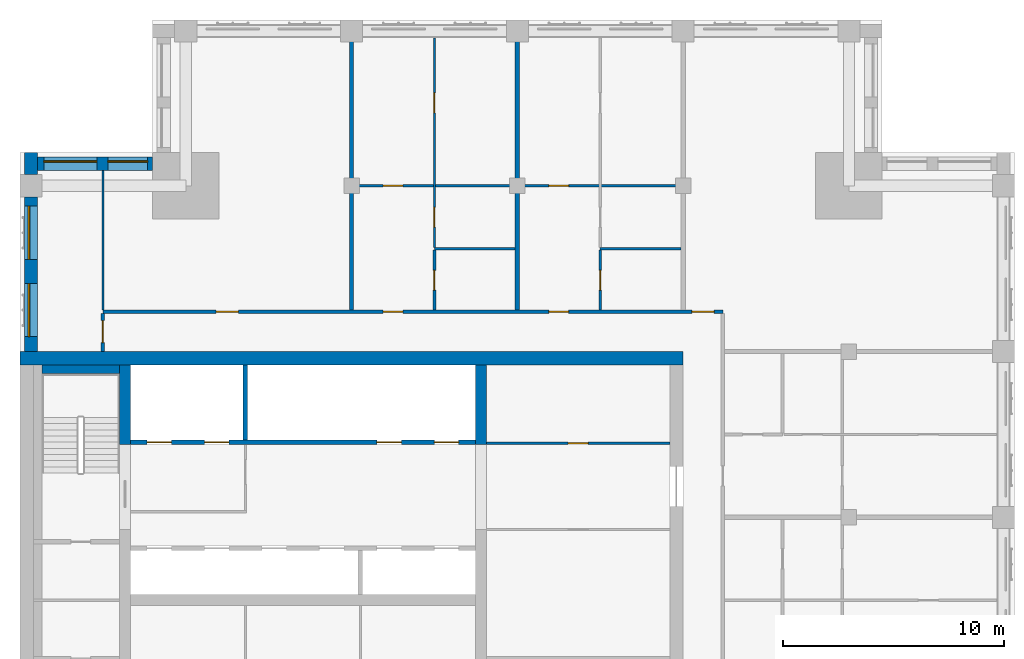
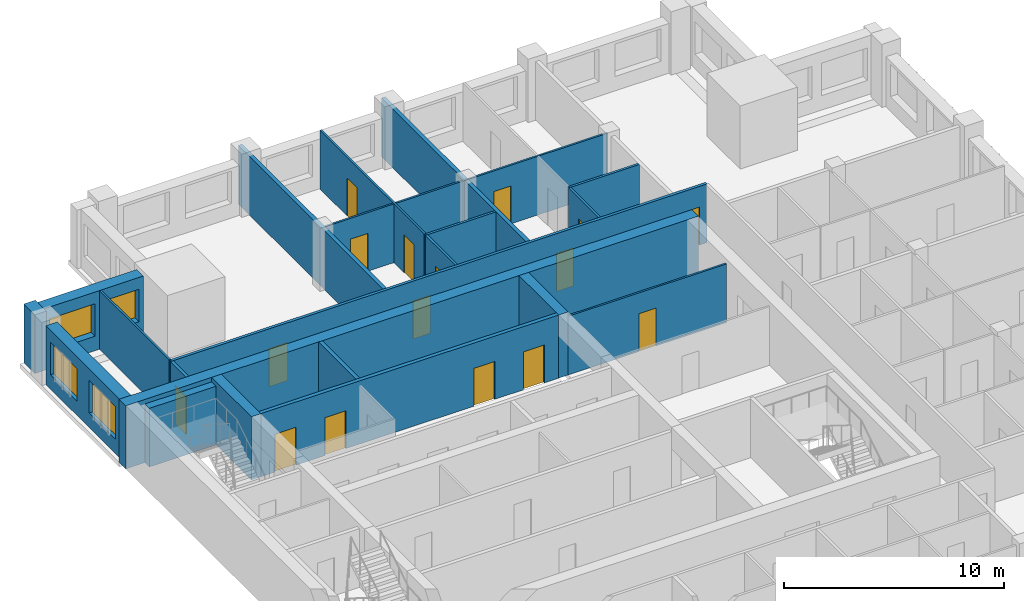
# One storey, part 6 of 10: 21 walls, 16 doors, 4 windows, 20 openings.
"""IFC4 building model written with IfcOpenShell, lengths in metres."""

from ifc_helpers import new_model, si_unit, direction, frame, frame_2d, origin, place, context, subcontext, project, spatial, rectangle, extrude, material, layer, layer_set, type_object, element, fill, save


model = new_model("IFC4")

# Units and contexts
model_context = context("Model", 3, precision=1e-05, world=origin(), true_north=direction((0.0, 1.0)))
body_context = subcontext(model_context, "Body", "Model", "MODEL_VIEW")
ifc_project = project(units=[si_unit("LENGTHUNIT", "METRE"), si_unit("AREAUNIT", "SQUARE_METRE"), si_unit("VOLUMEUNIT", "CUBIC_METRE"), si_unit("PLANEANGLEUNIT", "RADIAN"), si_unit("MASSUNIT", "GRAM", prefix="KILO")], contexts=[model_context])

# Site, building, storey
site_placement = place(None, origin())
site = spatial("IfcSite", under=ifc_project, at=site_placement, CompositionType="ELEMENT")
building_placement = place(site_placement, origin())
building = spatial("IfcBuilding", under=site, at=building_placement, Name="Tamorin Gate", CompositionType="ELEMENT")
storey_placement = place(building_placement, frame((0.0, 0.0, 273.199951171875)))
storey = spatial("IfcBuildingStorey", under=building, at=storey_placement, Name="L68", CompositionType="ELEMENT", Elevation=273.199951171875)

# Wall, openings, windows
ifc_material_1 = material(Name="Precast concrete C40/50", Category="concrete")
ifc_layer_1 = layer(ifc_material_1, 0.60009765625)
ifc_layer_set_1 = layer_set([ifc_layer_1], Name="Precast concrete C40/50")
wall_type_1 = type_object("IfcWallType", Name="Board-marked concrete facade panel 600", PredefinedType="SOLIDWALL", material=ifc_layer_set_1)
wall_1_placement = place(storey_placement, frame((36.0, 91.0, 0.0), z_axis=(0.0, 0.0, 1.0), x_axis=(-1.0, 0.0, 0.0)))
wall_1 = element("IfcWall", 1, at=wall_1_placement, inside=storey, type_object=wall_type_1, Name="Facade panel", PredefinedType="SOLIDWALL", context=body_context, shape_type="SweptSolid", body=[
    extrude(rectangle(XDim=5.199951171875, YDim=0.60009765625, at=frame_2d((2.60009765625, 0.0))), origin(), (0.0, 0.0, 1.0), 3.25),
])
opening_1_placement = place(wall_1_placement, frame((2.52490234375, 0.0, 0.800048828125)))
opening_1 = element("IfcOpeningElement", 2, at=opening_1_placement, cuts=wall_1, Name="Opening WN1", PredefinedType="OPENING", context=body_context, shape_type="SweptSolid", body=[
    extrude(rectangle(XDim=2.39990234375, YDim=1.800048828125, at=frame_2d((1.199951171875, 0.89990234375))), frame((0.0, 0.31005859375, 0.0), z_axis=(0.0, -1.0, 0.0), x_axis=(1.0, 0.0, 0.0)), (0.0, 0.0, 1.0), 0.6201171875),
])
opening_2_placement = place(wall_1_placement, frame((0.22509765625, 0.0, 0.800048828125)))
opening_2 = element("IfcOpeningElement", 3, at=opening_2_placement, cuts=wall_1, Name="Opening WN2", PredefinedType="OPENING", context=body_context, shape_type="SweptSolid", body=[
    extrude(rectangle(XDim=1.800048828125, YDim=1.800048828125, at=frame_2d((0.89990234375, 0.89990234375))), frame((0.0, 0.31005859375, 0.0), z_axis=(0.0, -1.0, 0.0), x_axis=(1.0, 0.0, 0.0)), (0.0, 0.0, 1.0), 0.6201171875),
])
ifc_material_2 = material(Name="Clear glass in aluminium frame", Category="aluminium")
window_type_1 = type_object("IfcWindowType", Name="Deep-set window 1800x1800", PartitioningType="SINGLE_PANEL", PredefinedType="WINDOW", material=ifc_material_2)
window_1_placement = place(opening_2_placement, origin())
window_1 = element("IfcWindow", 4, at=window_1_placement, inside=storey, type_object=window_type_1, Name="Deep-set window", OverallHeight=1.800048828125, OverallWidth=1.800048828125, PartitioningType="SINGLE_PANEL", PredefinedType="WINDOW", context=body_context, shape_type="SweptSolid", body=[
    extrude(rectangle(XDim=1.800048828125, YDim=1.800048828125, at=frame_2d((0.89990234375, 0.89990234375))), frame((0.0, -0.070068359375, 0.0), z_axis=(0.0, -1.0, 0.0), x_axis=(1.0, 0.0, 0.0)), (0.0, 0.0, 1.0), 0.06005859375),
])
fill(opening_2, window_1)
window_type_2 = type_object("IfcWindowType", Name="Deep-set window 2400x1800", PartitioningType="SINGLE_PANEL", PredefinedType="WINDOW", material=ifc_material_2)
window_2_placement = place(opening_1_placement, origin())
window_2 = element("IfcWindow", 5, at=window_2_placement, inside=storey, type_object=window_type_2, Name="Deep-set window", OverallHeight=1.800048828125, OverallWidth=2.39990234375, PartitioningType="SINGLE_PANEL", PredefinedType="WINDOW", context=body_context, shape_type="SweptSolid", body=[
    extrude(rectangle(XDim=2.39990234375, YDim=1.800048828125, at=frame_2d((1.199951171875, 0.89990234375))), frame((0.0, -0.070068359375, 0.0), z_axis=(0.0, -1.0, 0.0), x_axis=(1.0, 0.0, 0.0)), (0.0, 0.0, 1.0), 0.06005859375),
])
fill(opening_1, window_2)

# Wall
wall_2_placement = place(storey_placement, frame((30.5, 91.5, 0.0), z_axis=(0.0, 0.0, 1.0), x_axis=(0.0, -1.0, 0.0)))
element("IfcWall", 6, at=wall_2_placement, inside=storey, type_object=wall_type_1, Name="Facade panel", PredefinedType="SOLIDWALL", context=body_context, shape_type="SweptSolid", body=[
    extrude(rectangle(XDim=1.0, YDim=0.60009765625, at=frame_2d((0.5, 0.0))), origin(), (0.0, 0.0, 1.0), 3.25),
])

# Wall, openings, windows
wall_3_placement = place(storey_placement, frame((30.5, 89.5, 0.0), z_axis=(0.0, 0.0, 1.0), x_axis=(0.0, -1.0, 0.0)))
wall_3 = element("IfcWall", 7, at=wall_3_placement, inside=storey, type_object=wall_type_1, Name="Facade panel", PredefinedType="SOLIDWALL", context=body_context, shape_type="SweptSolid", body=[
    extrude(rectangle(XDim=7.0, YDim=0.60009765625, at=frame_2d((3.5, 0.0))), origin(), (0.0, 0.0, 1.0), 3.25),
])
opening_3_placement = place(wall_3_placement, frame((3.925048828125, 0.0, 0.800048828125)))
opening_3 = element("IfcOpeningElement", 8, at=opening_3_placement, cuts=wall_3, Name="Opening WN1", PredefinedType="OPENING", context=body_context, shape_type="SweptSolid", body=[
    extrude(rectangle(XDim=2.39990234375, YDim=1.800048828125, at=frame_2d((1.199951171875, 0.89990234375))), frame((0.0, 0.31005859375, 0.0), z_axis=(0.0, -1.0, 0.0), x_axis=(1.0, 0.0, 0.0)), (0.0, 0.0, 1.0), 0.6201171875),
])
opening_4_placement = place(wall_3_placement, frame((0.425048828125, 0.0, 0.800048828125)))
opening_4 = element("IfcOpeningElement", 9, at=opening_4_placement, cuts=wall_3, Name="Opening WN1", PredefinedType="OPENING", context=body_context, shape_type="SweptSolid", body=[
    extrude(rectangle(XDim=2.39990234375, YDim=1.800048828125, at=frame_2d((1.199951171875, 0.89990234375))), frame((0.0, 0.31005859375, 0.0), z_axis=(0.0, -1.0, 0.0), x_axis=(1.0, 0.0, 0.0)), (0.0, 0.0, 1.0), 0.6201171875),
])
window_3_placement = place(opening_3_placement, origin())
window_3 = element("IfcWindow", 10, at=window_3_placement, inside=storey, type_object=window_type_2, Name="Deep-set window", OverallHeight=1.800048828125, OverallWidth=2.39990234375, PartitioningType="SINGLE_PANEL", PredefinedType="WINDOW", context=body_context, shape_type="SweptSolid", body=[
    extrude(rectangle(XDim=2.39990234375, YDim=1.800048828125, at=frame_2d((1.199951171875, 0.89990234375))), frame((0.0, -0.070068359375, 0.0), z_axis=(0.0, -1.0, 0.0), x_axis=(1.0, 0.0, 0.0)), (0.0, 0.0, 1.0), 0.06005859375),
])
fill(opening_3, window_3)
window_4_placement = place(opening_4_placement, origin())
window_4 = element("IfcWindow", 11, at=window_4_placement, inside=storey, type_object=window_type_2, Name="Deep-set window", OverallHeight=1.800048828125, OverallWidth=2.39990234375, PartitioningType="SINGLE_PANEL", PredefinedType="WINDOW", context=body_context, shape_type="SweptSolid", body=[
    extrude(rectangle(XDim=2.39990234375, YDim=1.800048828125, at=frame_2d((1.199951171875, 0.89990234375))), frame((0.0, -0.070068359375, 0.0), z_axis=(0.0, -1.0, 0.0), x_axis=(1.0, 0.0, 0.0)), (0.0, 0.0, 1.0), 0.06005859375),
])
fill(opening_4, window_4)

# Wall, openings, doors
ifc_material_3 = material(Name="Gypsum board partition")
ifc_layer_2 = layer(ifc_material_3, 0.14990234375)
ifc_layer_set_2 = layer_set([ifc_layer_2], Name="Corridor wall 150")
wall_type_2 = type_object("IfcWallType", Name="Corridor wall 150", PredefinedType="PARTITIONING", material=ifc_layer_set_2)
wall_4_placement = place(storey_placement, frame((33.75, 84.300048828125, 0.0), z_axis=(0.0, 0.0, 1.0), x_axis=(1.0, 0.0, 0.0)))
wall_4 = element("IfcWall", 12, at=wall_4_placement, inside=storey, type_object=wall_type_2, Name="Corridor wall 150", PredefinedType="PARTITIONING", context=body_context, shape_type="SweptSolid", body=[
    extrude(rectangle(XDim=28.050048828125, YDim=0.14990234375, at=frame_2d((14.02490234375, 0.0))), origin(), (0.0, 0.0, 1.0), 3.25),
])
opening_5_placement = place(wall_4_placement, frame((5.125, 0.0, 0.0)))
opening_5 = element("IfcOpeningElement", 13, at=opening_5_placement, cuts=wall_4, Name="Opening DR10016", PredefinedType="OPENING", context=body_context, shape_type="SweptSolid", body=[
    extrude(rectangle(XDim=1.0, YDim=2.10009765625, at=frame_2d((0.5, 1.050048828125))), frame((0.0, 0.0849609375, 0.0), z_axis=(0.0, -1.0, 0.0), x_axis=(1.0, 0.0, 0.0)), (0.0, 0.0, 1.0), 0.169921875),
])
opening_6_placement = place(wall_4_placement, frame((12.675048828125, 0.0, 0.0)))
opening_6 = element("IfcOpeningElement", 14, at=opening_6_placement, cuts=wall_4, Name="Opening DR10017", PredefinedType="OPENING", context=body_context, shape_type="SweptSolid", body=[
    extrude(rectangle(XDim=0.89990234375, YDim=2.10009765625, at=frame_2d((0.449951171875, 1.050048828125))), frame((0.0, 0.0849609375, 0.0), z_axis=(0.0, -1.0, 0.0), x_axis=(1.0, 0.0, 0.0)), (0.0, 0.0, 1.0), 0.169921875),
])
opening_7_placement = place(wall_4_placement, frame((20.175048828125, 0.0, 0.0)))
opening_7 = element("IfcOpeningElement", 15, at=opening_7_placement, cuts=wall_4, Name="Opening DR10022", PredefinedType="OPENING", context=body_context, shape_type="SweptSolid", body=[
    extrude(rectangle(XDim=0.89990234375, YDim=2.10009765625, at=frame_2d((0.449951171875, 1.050048828125))), frame((0.0, 0.0849609375, 0.0), z_axis=(0.0, -1.0, 0.0), x_axis=(1.0, 0.0, 0.0)), (0.0, 0.0, 1.0), 0.169921875),
])
opening_8_placement = place(wall_4_placement, frame((26.64990234375, 0.0, 0.0)))
opening_8 = element("IfcOpeningElement", 16, at=opening_8_placement, cuts=wall_4, Name="Opening DR10027", PredefinedType="OPENING", context=body_context, shape_type="SweptSolid", body=[
    extrude(rectangle(XDim=1.0, YDim=2.10009765625, at=frame_2d((0.5, 1.050048828125))), frame((0.0, 0.0849609375, 0.0), z_axis=(0.0, -1.0, 0.0), x_axis=(1.0, 0.0, 0.0)), (0.0, 0.0, 1.0), 0.169921875),
])
ifc_material_4 = material(Name="Timber door leaf", Category="wood")
door_type_1 = type_object("IfcDoorType", Name="Door 1000 x 2100 FD30S", OperationType="NOTDEFINED", PredefinedType="DOOR", material=ifc_material_4)
door_1_placement = place(opening_5_placement, origin())
door_1 = element("IfcDoor", 17, at=door_1_placement, inside=storey, type_object=door_type_1, Name="Door DR10016", OperationType="SINGLE_SWING_LEFT", OverallHeight=2.10009765625, OverallWidth=1.0, PredefinedType="DOOR", context=body_context, shape_type="SweptSolid", body=[
    extrude(rectangle(XDim=1.0, YDim=2.10009765625, at=frame_2d((0.5, 1.050048828125))), frame((0.0, 0.02490234375, 0.0), z_axis=(0.0, -1.0, 0.0), x_axis=(1.0, 0.0, 0.0)), (0.0, 0.0, 1.0), 0.050048828125),
])
fill(opening_5, door_1)
door_2_placement = place(opening_8_placement, origin())
door_2 = element("IfcDoor", 18, at=door_2_placement, inside=storey, type_object=door_type_1, Name="Door DR10027", OperationType="SINGLE_SWING_LEFT", OverallHeight=2.10009765625, OverallWidth=1.0, PredefinedType="DOOR", context=body_context, shape_type="SweptSolid", body=[
    extrude(rectangle(XDim=1.0, YDim=2.10009765625, at=frame_2d((0.5, 1.050048828125))), frame((0.0, 0.02490234375, 0.0), z_axis=(0.0, -1.0, 0.0), x_axis=(1.0, 0.0, 0.0)), (0.0, 0.0, 1.0), 0.050048828125),
])
fill(opening_8, door_2)
door_type_2 = type_object("IfcDoorType", Name="Door 900 x 2100 FD30S", OperationType="NOTDEFINED", PredefinedType="DOOR", material=ifc_material_4)
door_3_placement = place(opening_6_placement, origin())
door_3 = element("IfcDoor", 19, at=door_3_placement, inside=storey, type_object=door_type_2, Name="Door DR10017", OperationType="SINGLE_SWING_LEFT", OverallHeight=2.10009765625, OverallWidth=0.89990234375, PredefinedType="DOOR", context=body_context, shape_type="SweptSolid", body=[
    extrude(rectangle(XDim=0.89990234375, YDim=2.10009765625, at=frame_2d((0.449951171875, 1.050048828125))), frame((0.0, 0.02490234375, 0.0), z_axis=(0.0, -1.0, 0.0), x_axis=(1.0, 0.0, 0.0)), (0.0, 0.0, 1.0), 0.050048828125),
])
fill(opening_6, door_3)
door_4_placement = place(opening_7_placement, origin())
door_4 = element("IfcDoor", 20, at=door_4_placement, inside=storey, type_object=door_type_2, Name="Door DR10022", OperationType="SINGLE_SWING_LEFT", OverallHeight=2.10009765625, OverallWidth=0.89990234375, PredefinedType="DOOR", context=body_context, shape_type="SweptSolid", body=[
    extrude(rectangle(XDim=0.89990234375, YDim=2.10009765625, at=frame_2d((0.449951171875, 1.050048828125))), frame((0.0, 0.02490234375, 0.0), z_axis=(0.0, -1.0, 0.0), x_axis=(1.0, 0.0, 0.0)), (0.0, 0.0, 1.0), 0.050048828125),
])
fill(opening_7, door_4)

# Wall, opening, door
wall_5_placement = place(storey_placement, frame((33.75, 82.5, 0.0), z_axis=(0.0, 0.0, 1.0), x_axis=(0.0, 1.0, 0.0)))
wall_5 = element("IfcWall", 21, at=wall_5_placement, inside=storey, type_object=wall_type_2, Name="Corridor wall 150", PredefinedType="PARTITIONING", context=body_context, shape_type="SweptSolid", body=[
    extrude(rectangle(XDim=1.72509765625, YDim=0.14990234375, at=frame_2d((0.862548828125, 0.0))), origin(), (0.0, 0.0, 1.0), 3.25),
])
opening_9_placement = place(wall_5_placement, frame((0.39990234375, 0.0, 0.0)))
opening_9 = element("IfcOpeningElement", 22, at=opening_9_placement, cuts=wall_5, Name="Opening DR10015", PredefinedType="OPENING", context=body_context, shape_type="SweptSolid", body=[
    extrude(rectangle(XDim=1.0, YDim=2.10009765625, at=frame_2d((0.5, 1.050048828125))), frame((0.0, 0.0849609375, 0.0), z_axis=(0.0, -1.0, 0.0), x_axis=(1.0, 0.0, 0.0)), (0.0, 0.0, 1.0), 0.169921875),
])
door_5_placement = place(opening_9_placement, origin())
door_5 = element("IfcDoor", 23, at=door_5_placement, inside=storey, type_object=door_type_1, Name="Door DR10015", OperationType="SINGLE_SWING_LEFT", OverallHeight=2.10009765625, OverallWidth=1.0, PredefinedType="DOOR", context=body_context, shape_type="SweptSolid", body=[
    extrude(rectangle(XDim=1.0, YDim=2.10009765625, at=frame_2d((0.5, 1.050048828125))), frame((0.0, 0.02490234375, 0.0), z_axis=(0.0, -1.0, 0.0), x_axis=(1.0, 0.0, 0.0)), (0.0, 0.0, 1.0), 0.050048828125),
])
fill(opening_9, door_5)

# Walls
ifc_layer_3 = layer(ifc_material_3, 0.199951171875)
ifc_layer_set_3 = layer_set([ifc_layer_3], Name="Demising wall 200")
wall_type_3 = type_object("IfcWallType", Name="Demising wall 200", PredefinedType="PARTITIONING", material=ifc_layer_set_3)
for number, where, z_axis, x_axis, name in (
    (24, (45.0, 84.375, 0.0), (0.0, 0.0, 1.0), (0.0, 1.0, 0.0), "Demising wall 200"),
    (25, (52.5, 84.375, 0.0), (0.0, 0.0, 1.0), (0.0, 1.0, 0.0), "Demising wall 200"),
):
    element("IfcWall", number, at=place(storey_placement, frame(where, z_axis=z_axis, x_axis=x_axis)), inside=storey, type_object=wall_type_3, Name=name, PredefinedType="PARTITIONING", context=body_context, shape_type="SweptSolid", body=[
        extrude(rectangle(XDim=13.125, YDim=0.199951171875, at=frame_2d((6.5625, 0.0))), origin(), (0.0, 0.0, 1.0), 3.25),
    ])

# Wall, openings, doors
ifc_material_5 = material(Name="Concrete C32/40", Category="concrete")
ifc_layer_4 = layer(ifc_material_5, 0.199951171875)
ifc_layer_set_4 = layer_set([ifc_layer_4], Name="Lift lobby face wall 200 EI 120")
wall_type_4 = type_object("IfcWallType", Name="Lift lobby face wall 200 EI 120", PredefinedType="SOLIDWALL", material=ifc_layer_set_4)
wall_6_placement = place(storey_placement, frame((35.0, 78.39990234375, 0.0), z_axis=(0.0, 0.0, 1.0), x_axis=(1.0, 0.0, 0.0)))
wall_6 = element("IfcWall", 26, at=wall_6_placement, inside=storey, type_object=wall_type_4, Name="Lift lobby face wall", PredefinedType="SOLIDWALL", context=body_context, shape_type="SweptSolid", body=[
    extrude(rectangle(XDim=15.60009765625, YDim=0.199951171875, at=frame_2d((7.800048828125, 0.0))), origin(), (0.0, 0.0, 1.0), 3.5),
])
opening_10_placement = place(wall_6_placement, frame((0.75, 0.0, 0.0)))
opening_10 = element("IfcOpeningElement", 27, at=opening_10_placement, cuts=wall_6, Name="Opening LD17", PredefinedType="OPENING", context=body_context, shape_type="SweptSolid", body=[
    extrude(rectangle(XDim=1.10009765625, YDim=2.10009765625, at=frame_2d((0.550048828125, 1.050048828125))), frame((0.0, 0.10986328125, 0.0), z_axis=(0.0, -1.0, 0.0), x_axis=(1.0, 0.0, 0.0)), (0.0, 0.0, 1.0), 0.219970703125),
])
opening_11_placement = place(wall_6_placement, frame((3.35009765625, 0.0, 0.0)))
opening_11 = element("IfcOpeningElement", 28, at=opening_11_placement, cuts=wall_6, Name="Opening LD18", PredefinedType="OPENING", context=body_context, shape_type="SweptSolid", body=[
    extrude(rectangle(XDim=1.10009765625, YDim=2.10009765625, at=frame_2d((0.550048828125, 1.050048828125))), frame((0.0, 0.10986328125, 0.0), z_axis=(0.0, -1.0, 0.0), x_axis=(1.0, 0.0, 0.0)), (0.0, 0.0, 1.0), 0.219970703125),
])
opening_12_placement = place(wall_6_placement, frame((11.14990234375, 0.0, 0.0)))
opening_12 = element("IfcOpeningElement", 29, at=opening_12_placement, cuts=wall_6, Name="Opening LD21", PredefinedType="OPENING", context=body_context, shape_type="SweptSolid", body=[
    extrude(rectangle(XDim=1.10009765625, YDim=2.10009765625, at=frame_2d((0.550048828125, 1.050048828125))), frame((0.0, 0.10986328125, 0.0), z_axis=(0.0, -1.0, 0.0), x_axis=(1.0, 0.0, 0.0)), (0.0, 0.0, 1.0), 0.219970703125),
])
opening_13_placement = place(wall_6_placement, frame((13.75, 0.0, 0.0)))
opening_13 = element("IfcOpeningElement", 30, at=opening_13_placement, cuts=wall_6, Name="Opening LD22", PredefinedType="OPENING", context=body_context, shape_type="SweptSolid", body=[
    extrude(rectangle(XDim=1.10009765625, YDim=2.10009765625, at=frame_2d((0.550048828125, 1.050048828125))), frame((0.0, 0.10986328125, 0.0), z_axis=(0.0, -1.0, 0.0), x_axis=(1.0, 0.0, 0.0)), (0.0, 0.0, 1.0), 0.219970703125),
])
ifc_material_6 = material(Name="Stainless steel sliding door", Category="steel")
door_type_3 = type_object("IfcDoorType", Name="Lift landing door 1100 x 2100 E 90", OperationType="DOUBLE_DOOR_SLIDING", PredefinedType="DOOR", material=ifc_material_6)
door_6_placement = place(opening_10_placement, origin())
door_6 = element("IfcDoor", 31, at=door_6_placement, inside=storey, type_object=door_type_3, Name="FF1 landing door", OperationType="DOUBLE_DOOR_SLIDING", OverallHeight=2.10009765625, OverallWidth=1.10009765625, PredefinedType="DOOR", context=body_context, shape_type="SweptSolid", body=[
    extrude(rectangle(XDim=1.10009765625, YDim=2.10009765625, at=frame_2d((0.550048828125, 1.050048828125))), frame((0.0, 0.02490234375, 0.0), z_axis=(0.0, -1.0, 0.0), x_axis=(1.0, 0.0, 0.0)), (0.0, 0.0, 1.0), 0.050048828125),
])
fill(opening_10, door_6)
door_7_placement = place(opening_11_placement, origin())
door_7 = element("IfcDoor", 32, at=door_7_placement, inside=storey, type_object=door_type_3, Name="FF2 landing door", OperationType="DOUBLE_DOOR_SLIDING", OverallHeight=2.10009765625, OverallWidth=1.10009765625, PredefinedType="DOOR", context=body_context, shape_type="SweptSolid", body=[
    extrude(rectangle(XDim=1.10009765625, YDim=2.10009765625, at=frame_2d((0.550048828125, 1.050048828125))), frame((0.0, 0.02490234375, 0.0), z_axis=(0.0, -1.0, 0.0), x_axis=(1.0, 0.0, 0.0)), (0.0, 0.0, 1.0), 0.050048828125),
])
fill(opening_11, door_7)
door_8_placement = place(opening_12_placement, origin())
door_8 = element("IfcDoor", 33, at=door_8_placement, inside=storey, type_object=door_type_3, Name="SV1 landing door", OperationType="DOUBLE_DOOR_SLIDING", OverallHeight=2.10009765625, OverallWidth=1.10009765625, PredefinedType="DOOR", context=body_context, shape_type="SweptSolid", body=[
    extrude(rectangle(XDim=1.10009765625, YDim=2.10009765625, at=frame_2d((0.550048828125, 1.050048828125))), frame((0.0, 0.02490234375, 0.0), z_axis=(0.0, -1.0, 0.0), x_axis=(1.0, 0.0, 0.0)), (0.0, 0.0, 1.0), 0.050048828125),
])
fill(opening_12, door_8)
door_9_placement = place(opening_13_placement, origin())
door_9 = element("IfcDoor", 34, at=door_9_placement, inside=storey, type_object=door_type_3, Name="SV2 landing door", OperationType="DOUBLE_DOOR_SLIDING", OverallHeight=2.10009765625, OverallWidth=1.10009765625, PredefinedType="DOOR", context=body_context, shape_type="SweptSolid", body=[
    extrude(rectangle(XDim=1.10009765625, YDim=2.10009765625, at=frame_2d((0.550048828125, 1.050048828125))), frame((0.0, 0.02490234375, 0.0), z_axis=(0.0, -1.0, 0.0), x_axis=(1.0, 0.0, 0.0)), (0.0, 0.0, 1.0), 0.050048828125),
])
fill(opening_13, door_9)

# Walls
ifc_layer_5 = layer(ifc_material_5, 0.199951171875)
ifc_layer_set_5 = layer_set([ifc_layer_5], Name="Lift shaft wall 200 EI 120")
wall_type_5 = type_object("IfcWallType", Name="Lift shaft wall 200 EI 120", PredefinedType="SOLIDWALL", material=ifc_layer_set_5)
wall_7_placement = place(storey_placement, frame((40.199951171875, 78.5, 0.0), z_axis=(0.0, 0.0, 1.0), x_axis=(0.0, 1.0, 0.0)))
element("IfcWall", 35, at=wall_7_placement, inside=storey, type_object=wall_type_5, Name="Lift shaft wall", PredefinedType="SOLIDWALL", context=body_context, shape_type="SweptSolid", body=[
    extrude(rectangle(XDim=3.39990234375, YDim=0.199951171875, at=frame_2d((1.699951171875, 0.0))), origin(), (0.0, 0.0, 1.0), 3.5),
])
ifc_material_7 = material(Name="Concrete C50/60", Category="concrete")
ifc_layer_6 = layer(ifc_material_7, 0.5)
ifc_layer_set_6 = layer_set([ifc_layer_6], Name="RC core internal wall 500 C50/60")
wall_type_6 = type_object("IfcWallType", Name="RC core internal wall 500 C50/60", PredefinedType="SHEAR", material=ifc_layer_set_6)
for number, where, z_axis, x_axis, name in (
    (36, (34.75, 78.300048828125, 0.0), (0.0, 0.0, 1.0), (0.0, 1.0, 0.0), "Core cross wall L68"),
    (37, (50.85009765625, 78.300048828125, 0.0), (0.0, 0.0, 1.0), (0.0, 1.0, 0.0), "Core cross wall L68"),
):
    element("IfcWall", number, at=place(storey_placement, frame(where, z_axis=z_axis, x_axis=x_axis)), inside=storey, type_object=wall_type_6, Name=name, PredefinedType="SHEAR", context=body_context, shape_type="SweptSolid", body=[
        extrude(rectangle(XDim=3.599853515625, YDim=0.5, at=frame_2d((1.7998046875, 0.0))), origin(), (0.0, 0.0, 1.0), 3.5),
    ])
ifc_layer_7 = layer(ifc_material_7, 0.60009765625)
ifc_layer_set_7 = layer_set([ifc_layer_7], Name="RC core wall 600 C50/60")
wall_type_7 = type_object("IfcWallType", Name="RC core wall 600 C50/60", PredefinedType="SHEAR", material=ifc_layer_set_7)
wall_8_placement = place(storey_placement, frame((30.0, 82.199951171875, 0.0), z_axis=(0.0, 0.0, 1.0), x_axis=(1.0, 0.0, 0.0)))
element("IfcWall", 38, at=wall_8_placement, inside=storey, type_object=wall_type_7, Name="Core wall L68", PredefinedType="SHEAR", context=body_context, shape_type="SweptSolid", body=[
    extrude(rectangle(XDim=30.0, YDim=0.60009765625, at=frame_2d((15.0, 0.0))), origin(), (0.0, 0.0, 1.0), 3.5),
])

# Wall, openings, doors
ifc_layer_8 = layer(ifc_material_3, 0.10009765625)
ifc_layer_set_8 = layer_set([ifc_layer_8], Name="Room partition 100")
wall_type_8 = type_object("IfcWallType", Name="Room partition 100", PredefinedType="PARTITIONING", material=ifc_layer_set_8)
wall_9_placement = place(storey_placement, frame((45.10009765625, 90.0, 0.0), z_axis=(0.0, 0.0, 1.0), x_axis=(1.0, 0.0, 0.0)))
wall_9 = element("IfcWall", 39, at=wall_9_placement, inside=storey, type_object=wall_type_8, Name="Room partition 100", PredefinedType="PARTITIONING", context=body_context, shape_type="SweptSolid", body=[
    extrude(rectangle(XDim=14.7998046875, YDim=0.10009765625, at=frame_2d((7.39990234375, 0.0))), origin(), (0.0, 0.0, 1.0), 3.25),
])
opening_14_placement = place(wall_9_placement, frame((1.324951171875, 0.0, 0.0)))
opening_14 = element("IfcOpeningElement", 40, at=opening_14_placement, cuts=wall_9, Name="Opening DR10018", PredefinedType="OPENING", context=body_context, shape_type="SweptSolid", body=[
    extrude(rectangle(XDim=0.89990234375, YDim=2.10009765625, at=frame_2d((0.449951171875, 1.050048828125))), frame((0.0, 0.06005859375, 0.0), z_axis=(0.0, -1.0, 0.0), x_axis=(1.0, 0.0, 0.0)), (0.0, 0.0, 1.0), 0.1201171875),
])
opening_15_placement = place(wall_9_placement, frame((8.824951171875, 0.0, 0.0)))
opening_15 = element("IfcOpeningElement", 41, at=opening_15_placement, cuts=wall_9, Name="Opening DR10023", PredefinedType="OPENING", context=body_context, shape_type="SweptSolid", body=[
    extrude(rectangle(XDim=0.89990234375, YDim=2.10009765625, at=frame_2d((0.449951171875, 1.050048828125))), frame((0.0, 0.06005859375, 0.0), z_axis=(0.0, -1.0, 0.0), x_axis=(1.0, 0.0, 0.0)), (0.0, 0.0, 1.0), 0.1201171875),
])
door_type_4 = type_object("IfcDoorType", Name="Door 900 x 2100", OperationType="NOTDEFINED", PredefinedType="DOOR", material=ifc_material_4)
door_10_placement = place(opening_14_placement, origin())
door_10 = element("IfcDoor", 42, at=door_10_placement, inside=storey, type_object=door_type_4, Name="Door DR10018", OperationType="SINGLE_SWING_RIGHT", OverallHeight=2.10009765625, OverallWidth=0.89990234375, PredefinedType="DOOR", context=body_context, shape_type="SweptSolid", body=[
    extrude(rectangle(XDim=0.89990234375, YDim=2.10009765625, at=frame_2d((0.449951171875, 1.050048828125))), frame((0.0, 0.02490234375, 0.0), z_axis=(0.0, -1.0, 0.0), x_axis=(1.0, 0.0, 0.0)), (0.0, 0.0, 1.0), 0.050048828125),
])
fill(opening_14, door_10)
door_11_placement = place(opening_15_placement, origin())
door_11 = element("IfcDoor", 43, at=door_11_placement, inside=storey, type_object=door_type_4, Name="Door DR10023", OperationType="SINGLE_SWING_RIGHT", OverallHeight=2.10009765625, OverallWidth=0.89990234375, PredefinedType="DOOR", context=body_context, shape_type="SweptSolid", body=[
    extrude(rectangle(XDim=0.89990234375, YDim=2.10009765625, at=frame_2d((0.449951171875, 1.050048828125))), frame((0.0, 0.02490234375, 0.0), z_axis=(0.0, -1.0, 0.0), x_axis=(1.0, 0.0, 0.0)), (0.0, 0.0, 1.0), 0.050048828125),
])
fill(opening_15, door_11)

# Wall
wall_10_placement = place(storey_placement, frame((33.75, 84.375, 0.0), z_axis=(0.0, 0.0, 1.0), x_axis=(0.0, 1.0, 0.0)))
element("IfcWall", 44, at=wall_10_placement, inside=storey, type_object=wall_type_8, Name="Room partition 100", PredefinedType="PARTITIONING", context=body_context, shape_type="SweptSolid", body=[
    extrude(rectangle(XDim=6.31494140625, YDim=0.10009765625, at=frame_2d((3.157470703125, 0.0))), origin(), (0.0, 0.0, 1.0), 3.25),
])

# Wall, openings, doors
wall_11_placement = place(storey_placement, frame((48.75, 87.21240234375, 0.0), z_axis=(0.0, 0.0, 1.0), x_axis=(0.0, 1.0, 0.0)))
wall_11 = element("IfcWall", 45, at=wall_11_placement, inside=storey, type_object=wall_type_8, Name="Room partition 100", PredefinedType="PARTITIONING", context=body_context, shape_type="SweptSolid", body=[
    extrude(rectangle(XDim=9.4775390625, YDim=0.10009765625, at=frame_2d((4.73876953125, 0.0))), origin(), (0.0, 0.0, 1.0), 3.25),
])
opening_16_placement = place(wall_11_placement, frame((0.91259765625, 0.0, 0.0)))
opening_16 = element("IfcOpeningElement", 46, at=opening_16_placement, cuts=wall_11, Name="Opening DR10019", PredefinedType="OPENING", context=body_context, shape_type="SweptSolid", body=[
    extrude(rectangle(XDim=0.89990234375, YDim=2.10009765625, at=frame_2d((0.449951171875, 1.050048828125))), frame((0.0, 0.06005859375, 0.0), z_axis=(0.0, -1.0, 0.0), x_axis=(1.0, 0.0, 0.0)), (0.0, 0.0, 1.0), 0.1201171875),
])
opening_17_placement = place(wall_11_placement, frame((6.08740234375, 0.0, 0.0)))
opening_17 = element("IfcOpeningElement", 47, at=opening_17_placement, cuts=wall_11, Name="Opening DR10021", PredefinedType="OPENING", context=body_context, shape_type="SweptSolid", body=[
    extrude(rectangle(XDim=0.89990234375, YDim=2.10009765625, at=frame_2d((0.449951171875, 1.050048828125))), frame((0.0, 0.06005859375, 0.0), z_axis=(0.0, -1.0, 0.0), x_axis=(1.0, 0.0, 0.0)), (0.0, 0.0, 1.0), 0.1201171875),
])
door_12_placement = place(opening_16_placement, origin())
door_12 = element("IfcDoor", 48, at=door_12_placement, inside=storey, type_object=door_type_4, Name="Door DR10019", OperationType="SINGLE_SWING_LEFT", OverallHeight=2.10009765625, OverallWidth=0.89990234375, PredefinedType="DOOR", context=body_context, shape_type="SweptSolid", body=[
    extrude(rectangle(XDim=0.89990234375, YDim=2.10009765625, at=frame_2d((0.449951171875, 1.050048828125))), frame((0.0, 0.02490234375, 0.0), z_axis=(0.0, -1.0, 0.0), x_axis=(1.0, 0.0, 0.0)), (0.0, 0.0, 1.0), 0.050048828125),
])
fill(opening_16, door_12)
door_13_placement = place(opening_17_placement, origin())
door_13 = element("IfcDoor", 49, at=door_13_placement, inside=storey, type_object=door_type_4, Name="Door DR10021", OperationType="SINGLE_SWING_LEFT", OverallHeight=2.10009765625, OverallWidth=0.89990234375, PredefinedType="DOOR", context=body_context, shape_type="SweptSolid", body=[
    extrude(rectangle(XDim=0.89990234375, YDim=2.10009765625, at=frame_2d((0.449951171875, 1.050048828125))), frame((0.0, 0.02490234375, 0.0), z_axis=(0.0, -1.0, 0.0), x_axis=(1.0, 0.0, 0.0)), (0.0, 0.0, 1.0), 0.050048828125),
])
fill(opening_17, door_13)

# Wall, opening, door
ifc_layer_9 = layer(ifc_material_3, 0.10009765625)
ifc_layer_set_9 = layer_set([ifc_layer_9], Name="Service room partition 100 EI 60")
wall_type_9 = type_object("IfcWallType", Name="Service room partition 100 EI 60", PredefinedType="PARTITIONING", material=ifc_layer_set_9)
wall_12_placement = place(storey_placement, frame((51.10009765625, 78.35009765625, 0.0), z_axis=(0.0, 0.0, 1.0), x_axis=(1.0, 0.0, 0.0)))
wall_12 = element("IfcWall", 50, at=wall_12_placement, inside=storey, type_object=wall_type_9, Name="Service room wall", PredefinedType="PARTITIONING", context=body_context, shape_type="SweptSolid", body=[
    extrude(rectangle(XDim=8.2998046875, YDim=0.10009765625, at=frame_2d((4.14990234375, 0.0))), origin(), (0.0, 0.0, 1.0), 3.25),
])
opening_18_placement = place(wall_12_placement, frame((3.699951171875, 0.0, 0.0)))
opening_18 = element("IfcOpeningElement", 51, at=opening_18_placement, cuts=wall_12, Name="Opening DK1", PredefinedType="OPENING", context=body_context, shape_type="SweptSolid", body=[
    extrude(rectangle(XDim=0.89990234375, YDim=2.10009765625, at=frame_2d((0.449951171875, 1.050048828125))), frame((0.0, 0.06005859375, 0.0), z_axis=(0.0, -1.0, 0.0), x_axis=(1.0, 0.0, 0.0)), (0.0, 0.0, 1.0), 0.1201171875),
])
ifc_material_8 = material(Name="Timber fire door", Category="wood")
door_type_5 = type_object("IfcDoorType", Name="Service room door 900 x 2100 EI 60", OperationType="SINGLE_SWING_LEFT", PredefinedType="DOOR", material=ifc_material_8)
door_14_placement = place(opening_18_placement, origin())
door_14 = element("IfcDoor", 52, at=door_14_placement, inside=storey, type_object=door_type_5, Name="Door Housekeeping office", OperationType="SINGLE_SWING_RIGHT", OverallHeight=2.10009765625, OverallWidth=0.89990234375, PredefinedType="DOOR", context=body_context, shape_type="SweptSolid", body=[
    extrude(rectangle(XDim=0.89990234375, YDim=2.10009765625, at=frame_2d((0.449951171875, 1.050048828125))), frame((0.0, 0.02490234375, 0.0), z_axis=(0.0, -1.0, 0.0), x_axis=(1.0, 0.0, 0.0)), (0.0, 0.0, 1.0), 0.050048828125),
])
fill(opening_18, door_14)

# Walls
ifc_layer_10 = layer(ifc_material_7, 0.39990234375)
ifc_layer_set_10 = layer_set([ifc_layer_10], Name="Stair lining wall 400 EI 120 C50/60")
wall_type_10 = type_object("IfcWallType", Name="Stair lining wall 400 EI 120 C50/60", PredefinedType="SOLIDWALL", material=ifc_layer_set_10)
wall_13_placement = place(storey_placement, frame((31.0, 81.699951171875, 0.0), z_axis=(0.0, 0.0, 1.0), x_axis=(1.0, 0.0, 0.0)))
element("IfcWall", 53, at=wall_13_placement, inside=storey, type_object=wall_type_10, Name="Stair lining wall", PredefinedType="SOLIDWALL", context=body_context, shape_type="SweptSolid", body=[
    extrude(rectangle(XDim=3.5, YDim=0.39990234375, at=frame_2d((1.75, 0.0))), origin(), (0.0, 0.0, 1.0), 3.25),
])
ifc_layer_11 = layer(ifc_material_3, 0.125)
ifc_layer_set_11 = layer_set([ifc_layer_11], Name="Wet wall 125")
wall_type_11 = type_object("IfcWallType", Name="Wet wall 125", PredefinedType="PARTITIONING", material=ifc_layer_set_11)
for number, where, z_axis, x_axis, name in (
    (54, (48.75, 87.14990234375, 0.0), (0.0, 0.0, 1.0), (1.0, 0.0, 0.0), "Wet wall 125"),
    (55, (56.25, 87.14990234375, 0.0), (0.0, 0.0, 1.0), (1.0, 0.0, 0.0), "Wet wall 125"),
):
    element("IfcWall", number, at=place(storey_placement, frame(where, z_axis=z_axis, x_axis=x_axis)), inside=storey, type_object=wall_type_11, Name=name, PredefinedType="PARTITIONING", context=body_context, shape_type="SweptSolid", body=[
        extrude(rectangle(XDim=3.64990234375, YDim=0.125, at=frame_2d((1.824951171875, 0.0))), origin(), (0.0, 0.0, 1.0), 3.25),
    ])

# Wall, opening, door
wall_14_placement = place(storey_placement, frame((48.75, 84.375, 0.0), z_axis=(0.0, 0.0, 1.0), x_axis=(0.0, 1.0, 0.0)))
wall_14 = element("IfcWall", 56, at=wall_14_placement, inside=storey, type_object=wall_type_11, Name="Wet wall 125", PredefinedType="PARTITIONING", context=body_context, shape_type="SweptSolid", body=[
    extrude(rectangle(XDim=2.71240234375, YDim=0.125, at=frame_2d((1.356201171875, 0.0))), origin(), (0.0, 0.0, 1.0), 3.25),
])
opening_19_placement = place(wall_14_placement, frame((0.89990234375, 0.0, 0.0)))
opening_19 = element("IfcOpeningElement", 57, at=opening_19_placement, cuts=wall_14, Name="Opening DR10020", PredefinedType="OPENING", context=body_context, shape_type="SweptSolid", body=[
    extrude(rectangle(XDim=0.89990234375, YDim=2.10009765625, at=frame_2d((0.449951171875, 1.050048828125))), frame((0.0, 0.072509765625, 0.0), z_axis=(0.0, -1.0, 0.0), x_axis=(1.0, 0.0, 0.0)), (0.0, 0.0, 1.0), 0.14501953125),
])
door_15_placement = place(opening_19_placement, origin())
door_15 = element("IfcDoor", 58, at=door_15_placement, inside=storey, type_object=door_type_4, Name="Door DR10020", OperationType="SINGLE_SWING_RIGHT", OverallHeight=2.10009765625, OverallWidth=0.89990234375, PredefinedType="DOOR", context=body_context, shape_type="SweptSolid", body=[
    extrude(rectangle(XDim=0.89990234375, YDim=2.10009765625, at=frame_2d((0.449951171875, 1.050048828125))), frame((0.0, 0.02490234375, 0.0), z_axis=(0.0, -1.0, 0.0), x_axis=(1.0, 0.0, 0.0)), (0.0, 0.0, 1.0), 0.050048828125),
])
fill(opening_19, door_15)

wall_15_placement = place(storey_placement, frame((56.25, 84.375, 0.0), z_axis=(0.0, 0.0, 1.0), x_axis=(0.0, 1.0, 0.0)))
wall_15 = element("IfcWall", 59, at=wall_15_placement, inside=storey, type_object=wall_type_11, Name="Wet wall 125", PredefinedType="PARTITIONING", context=body_context, shape_type="SweptSolid", body=[
    extrude(rectangle(XDim=2.71240234375, YDim=0.125, at=frame_2d((1.356201171875, 0.0))), origin(), (0.0, 0.0, 1.0), 3.25),
])
opening_20_placement = place(wall_15_placement, frame((0.89990234375, 0.0, 0.0)))
opening_20 = element("IfcOpeningElement", 60, at=opening_20_placement, cuts=wall_15, Name="Opening DR10025", PredefinedType="OPENING", context=body_context, shape_type="SweptSolid", body=[
    extrude(rectangle(XDim=0.89990234375, YDim=2.10009765625, at=frame_2d((0.449951171875, 1.050048828125))), frame((0.0, 0.072509765625, 0.0), z_axis=(0.0, -1.0, 0.0), x_axis=(1.0, 0.0, 0.0)), (0.0, 0.0, 1.0), 0.14501953125),
])
door_16_placement = place(opening_20_placement, origin())
door_16 = element("IfcDoor", 61, at=door_16_placement, inside=storey, type_object=door_type_4, Name="Door DR10025", OperationType="SINGLE_SWING_RIGHT", OverallHeight=2.10009765625, OverallWidth=0.89990234375, PredefinedType="DOOR", context=body_context, shape_type="SweptSolid", body=[
    extrude(rectangle(XDim=0.89990234375, YDim=2.10009765625, at=frame_2d((0.449951171875, 1.050048828125))), frame((0.0, 0.02490234375, 0.0), z_axis=(0.0, -1.0, 0.0), x_axis=(1.0, 0.0, 0.0)), (0.0, 0.0, 1.0), 0.050048828125),
])
fill(opening_20, door_16)

save(model, "model.ifc")
